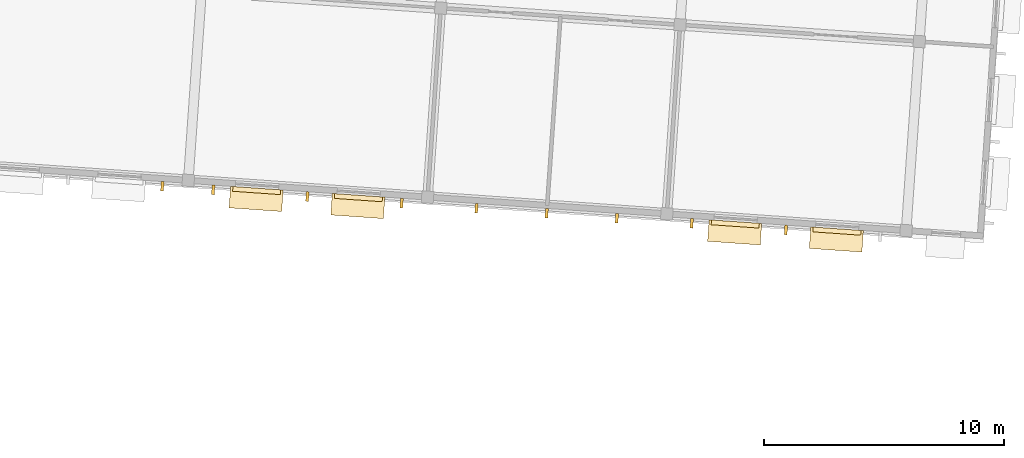
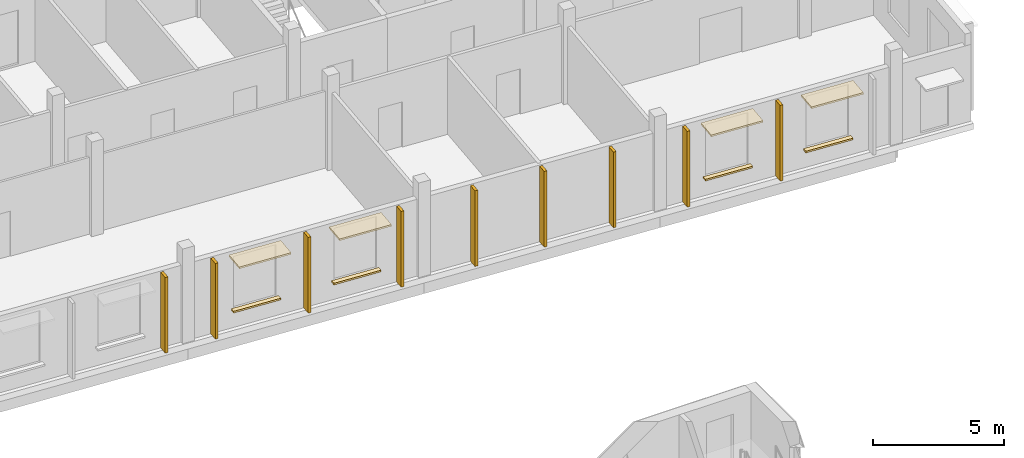
# One storey, part 93 of 95: 9 shading devices, 8 coverings.
"""IFC4 building model written with IfcOpenShell, lengths in metres."""

import ifcopenshell
import ifcopenshell.guid

model = None  # the IFC model being written
_history = None  # IfcOwnerHistory: only IFC2X3 demands one
_inside = {}  # id of a spatial element -> (the spatial element, [elements in it])
_under = {}  # id of a project, library or spatial element -> (it, [spatial elements below it])
_declared = {}  # id of a project -> (the project, [libraries it declares])
_typed = {}  # id of a type object -> (the type object, [elements of that type])
_made_of = {}  # id of a material, layer set ... -> (it, [elements and type objects made of it])


def new_model(schema):
    """Start an empty IFC model of exactly this schema.

    Asked for "IFC4X3", IfcOpenShell would pick the latest addendum, in which some entities
    have other attributes; the version numbers below select the first issue.
    IFC2X3 requires an IfcOwnerHistory on every rooted entity: one is made here for all.
    """
    global model, _history
    if schema == "IFC4X3":
        model = ifcopenshell.file(schema_version=(4, 3, 0, 0))
    else:
        model = ifcopenshell.file(schema=schema)
    _inside.clear()
    _under.clear()
    _declared.clear()
    _typed.clear()
    _made_of.clear()
    _history = None
    if model.schema == "IFC2X3":
        org = make("IfcOrganization", Name="unknown")
        user = make(
            "IfcPersonAndOrganization",
            ThePerson=make("IfcPerson", FamilyName="unknown"),
            TheOrganization=org,
        )
        app = make(
            "IfcApplication",
            ApplicationDeveloper=org,
            Version="unknown",
            ApplicationFullName="unknown",
            ApplicationIdentifier="unknown",
        )
        _history = make(
            "IfcOwnerHistory",
            OwningUser=user,
            OwningApplication=app,
            ChangeAction="ADDED",
            CreationDate=0,
        )
    return model


def make(cls, **values):
    """One entity of the class cls with the attributes given. An attribute that is None is left unset."""
    return model.create_entity(
        cls, **{name: value for name, value in values.items() if value is not None}
    )


def rooted(cls, **values):
    """An entity with a GlobalId (a new one), such as an element, a storey or a relation."""
    return make(cls, GlobalId=ifcopenshell.guid.new(), OwnerHistory=_history, **values)


def si_unit(unit_type, name, prefix=None):
    """IfcSIUnit, for example si_unit("LENGTHUNIT", "METRE", prefix="MILLI")."""
    return make("IfcSIUnit", UnitType=unit_type, Prefix=prefix, Name=name)


def assignment(units):
    """IfcUnitAssignment: the units of a project."""
    return None if units is None else make("IfcUnitAssignment", Units=units)


def point(xyz):
    """IfcCartesianPoint."""
    return None if xyz is None else make("IfcCartesianPoint", Coordinates=xyz)


def direction(xyz):
    """IfcDirection."""
    return None if xyz is None else make("IfcDirection", DirectionRatios=xyz)


def frame(location, z_axis=None, x_axis=None):
    """IfcAxis2Placement3D, a coordinate frame: its origin and axes. An axis left out is left unset."""
    return make(
        "IfcAxis2Placement3D",
        Location=point(location),
        Axis=direction(z_axis),
        RefDirection=direction(x_axis),
    )


def origin():
    """The frame at (0, 0, 0) with its axes left unset."""
    return frame((0.0, 0.0, 0.0))


def place(relative_to, where):
    """IfcLocalPlacement: puts the frame where relative to a parent placement (None: the world)."""
    return make(
        "IfcLocalPlacement", PlacementRelTo=relative_to, RelativePlacement=where
    )


def context(
    kind, dimensions, precision=None, world=None, true_north=None, identifier=None
):
    """IfcGeometricRepresentationContext, for example the 3D "Model" context."""
    return make(
        "IfcGeometricRepresentationContext",
        ContextIdentifier=identifier,
        ContextType=kind,
        CoordinateSpaceDimension=dimensions,
        Precision=precision,
        WorldCoordinateSystem=world,
        TrueNorth=true_north,
    )


def subcontext(parent, identifier, kind, view, scale=None):
    """IfcGeometricRepresentationSubContext, for example "Body" below "Model"."""
    return make(
        "IfcGeometricRepresentationSubContext",
        ContextIdentifier=identifier,
        ContextType=kind,
        ParentContext=parent,
        TargetScale=scale,
        TargetView=view,
    )


def project(units=None, contexts=None):
    """IfcProject with its units and contexts."""
    return rooted(
        "IfcProject",
        Name="project",
        RepresentationContexts=contexts,
        UnitsInContext=assignment(units),
    )


def spatial(cls, under=None, at=None, **own):
    """A site, building, storey or space (cls), placed at a placement, below another one or the project."""
    s = rooted(cls, ObjectPlacement=at, **own)
    if under is not None:
        _under.setdefault(under.id(), (under, []))[1].append(s)
    return s


def polyline(points):
    """IfcPolyline through the points."""
    return make("IfcPolyline", Points=[point(p) for p in points])


def outline(outer, holes=None, kind="AREA"):
    """IfcArbitraryClosedProfileDef: a profile drawn as a closed curve; with holes, ...WithVoids."""
    if holes is None:
        return make("IfcArbitraryClosedProfileDef", ProfileType=kind, OuterCurve=outer)
    return make(
        "IfcArbitraryProfileDefWithVoids",
        ProfileType=kind,
        OuterCurve=outer,
        InnerCurves=holes,
    )


def extrude(swept, where, along, depth):
    """IfcExtrudedAreaSolid: the profile swept, set in the frame where, extruded along a direction by depth."""
    return make(
        "IfcExtrudedAreaSolid",
        SweptArea=swept,
        Position=where,
        ExtrudedDirection=direction(along),
        Depth=depth,
    )


def shape(context_of_items, identifier, shape_type, items):
    """IfcShapeRepresentation: the items that make up one representation, for example the "Body"."""
    return make(
        "IfcShapeRepresentation",
        ContextOfItems=context_of_items,
        RepresentationIdentifier=identifier,
        RepresentationType=shape_type,
        Items=items,
    )


def material(Name=None, Category=None):
    """IfcMaterial."""
    return make("IfcMaterial", Name=Name, Category=Category)


def layer(
    of_material, thickness, ventilated=None, Name=None, Category=None, Priority=None
):
    """IfcMaterialLayer: one layer of a wall or slab, of a material (None: an air gap)."""
    return make(
        "IfcMaterialLayer",
        Material=of_material,
        LayerThickness=thickness,
        IsVentilated=ventilated,
        Name=Name,
        Category=Category,
        Priority=Priority,
    )


def layer_set(layers, Name=None):
    """IfcMaterialLayerSet."""
    return make("IfcMaterialLayerSet", MaterialLayers=layers, LayerSetName=Name)


def made_of(thing, what):
    """Note that an element or type object is made of a material, layer set ...; save() writes the relation."""
    if what is not None:
        _made_of.setdefault(what.id(), (what, []))[1].append(thing)
    return thing


def type_object(cls, material=None, **own):
    """A type object (cls), such as IfcWallType, which elements share."""
    return made_of(rooted(cls, **own), material)


def element(
    cls,
    number,
    at=None,
    inside=None,
    cuts=None,
    type_object=None,
    material=None,
    context=None,
    identifier="Body",
    shape_type=None,
    held_by="IfcProductDefinitionShape",
    body=None,
    shapes=None,
    **own,
):
    """One element of the class cls, such as IfcWall. Its Tag is "e" and its number.

    at: its placement. inside: the storey or other place that contains it. cuts: it is an
    opening in that element (IfcRelVoidsElement). A single representation is given by context,
    identifier, shape_type and body (its items); several are given by shapes. held_by: the class
    of the entity that holds the representations. save() writes the other relations.
    """
    e = rooted(cls, Tag="e%d" % number, ObjectPlacement=at, **own)
    if body is not None:
        shapes = [shape(context, identifier, shape_type, body)]
    if shapes is not None:
        e.Representation = make(held_by, Representations=shapes)
    if inside is not None:
        _inside.setdefault(inside.id(), (inside, []))[1].append(e)
    if cuts is not None:
        rooted(
            "IfcRelVoidsElement", RelatingBuildingElement=cuts, RelatedOpeningElement=e
        )
    if type_object is not None:
        _typed.setdefault(type_object.id(), (type_object, []))[1].append(e)
    return made_of(e, material)


def aggregate(whole, parts):
    """IfcRelAggregates: a whole, such as a stair, and the parts it consists of."""
    return rooted("IfcRelAggregates", RelatingObject=whole, RelatedObjects=parts)


def save(model, path):
    """Write the relations noted so far, then the file.

    IfcRelAggregates (storeys below a building ...), IfcRelContainedInSpatialStructure (elements
    in a storey), IfcRelDefinesByType, IfcRelAssociatesMaterial and IfcRelDeclares: one each for
    every whole, place, type object, material and project.
    """
    for whole, parts in _under.values():
        aggregate(whole, parts)
    for where, things in _inside.values():
        rooted(
            "IfcRelContainedInSpatialStructure",
            RelatedElements=things,
            RelatingStructure=where,
        )
    for kind, things in _typed.values():
        rooted("IfcRelDefinesByType", RelatedObjects=things, RelatingType=kind)
    for what, things in _made_of.values():
        rooted("IfcRelAssociatesMaterial", RelatedObjects=things, RelatingMaterial=what)
    for by, libraries in _declared.values():
        rooted("IfcRelDeclares", RelatingContext=by, RelatedDefinitions=libraries)
    model.write(path)


model = new_model("IFC4")

# Units and contexts
model_context = context("Model", 3, precision=1e-05, world=origin(), true_north=direction((0.0, 1.0)))
body_context = subcontext(model_context, "Body", "Model", "MODEL_VIEW")
ifc_project = project(units=[si_unit("LENGTHUNIT", "METRE"), si_unit("AREAUNIT", "SQUARE_METRE"), si_unit("VOLUMEUNIT", "CUBIC_METRE"), si_unit("PLANEANGLEUNIT", "RADIAN"), si_unit("MASSUNIT", "GRAM", prefix="KILO")], contexts=[model_context])

# Site, building, storey
site_placement = place(None, origin())
site = spatial("IfcSite", under=ifc_project, at=site_placement, CompositionType="ELEMENT")
building_placement = place(site_placement, origin())
building = spatial("IfcBuilding", under=site, at=building_placement, Name="Windward Yard Aquatics Centre", CompositionType="ELEMENT")
storey_placement = place(building_placement, frame((0.0, 0.0, 9.39990234375)))
storey = spatial("IfcBuildingStorey", under=building, at=storey_placement, Name="L02", CompositionType="ELEMENT", Elevation=9.39990234375)

# Shading devices
ifc_material_1 = material(Name="Timber-look aluminium batten, powder coated", Category="wood")
shading_device_type = type_object("IfcShadingDeviceType", Name="W vertical fin 120x400", PredefinedType="USERDEFINED", material=ifc_material_1)
shading_device_1_placement = place(storey_placement, origin())
element("IfcShadingDevice", 1, at=shading_device_1_placement, inside=storey, type_object=shading_device_type, Name="Vertical fin W.FW.L02.S.56.8.3.1", ObjectType="FIN", PredefinedType="USERDEFINED", context=body_context, shape_type="SweptSolid", body=[
    extrude(outline(polyline([(136.6337890625, 114.326904296875), (136.66162109375, 114.72607421875), (136.781494140625, 114.717529296875), (136.75341796875, 114.318603515625), (136.6337890625, 114.326904296875)])), origin(), (0.0, 0.0, 1.0), 3.52001953125),
])
shading_device_2_placement = place(storey_placement, origin())
element("IfcShadingDevice", 2, at=shading_device_2_placement, inside=storey, type_object=shading_device_type, Name="Vertical fin W.FW.L02.S.66.8.1.1", ObjectType="FIN", PredefinedType="USERDEFINED", context=body_context, shape_type="SweptSolid", body=[
    extrude(outline(polyline([(138.75341796875, 114.1787109375), (138.781494140625, 114.577880859375), (138.901123046875, 114.5693359375), (138.873291015625, 114.17041015625), (138.75341796875, 114.1787109375)])), origin(), (0.0, 0.0, 1.0), 3.52001953125),
])
shading_device_3_placement = place(storey_placement, origin())
element("IfcShadingDevice", 3, at=shading_device_3_placement, inside=storey, type_object=shading_device_type, Name="Vertical fin W.FW.L02.S.66.8.2.1", ObjectType="FIN", PredefinedType="USERDEFINED", context=body_context, shape_type="SweptSolid", body=[
    extrude(outline(polyline([(142.681396484375, 113.904052734375), (142.70947265625, 114.302978515625), (142.8291015625, 114.294921875), (142.80126953125, 113.895751953125), (142.681396484375, 113.904052734375)])), origin(), (0.0, 0.0, 1.0), 3.52001953125),
])
shading_device_4_placement = place(storey_placement, origin())
element("IfcShadingDevice", 4, at=shading_device_4_placement, inside=storey, type_object=shading_device_type, Name="Vertical fin W.FW.L02.S.66.8.3.1", ObjectType="FIN", PredefinedType="USERDEFINED", context=body_context, shape_type="SweptSolid", body=[
    extrude(outline(polyline([(146.609375, 113.62939453125), (146.63720703125, 114.028564453125), (146.757080078125, 114.02001953125), (146.72900390625, 113.62109375), (146.609375, 113.62939453125)])), origin(), (0.0, 0.0, 1.0), 3.52001953125),
])
shading_device_5_placement = place(storey_placement, origin())
element("IfcShadingDevice", 5, at=shading_device_5_placement, inside=storey, type_object=shading_device_type, Name="Vertical fin W.FW.L02.S.76.8.1.1", ObjectType="FIN", PredefinedType="USERDEFINED", context=body_context, shape_type="SweptSolid", body=[
    extrude(outline(polyline([(149.73095703125, 113.4111328125), (149.7587890625, 113.810302734375), (149.878662109375, 113.8017578125), (149.8505859375, 113.40283203125), (149.73095703125, 113.4111328125)])), origin(), (0.0, 0.0, 1.0), 3.52001953125),
])
shading_device_6_placement = place(storey_placement, origin())
element("IfcShadingDevice", 6, at=shading_device_6_placement, inside=storey, type_object=shading_device_type, Name="Vertical fin W.FW.L02.S.76.8.1.2", ObjectType="FIN", PredefinedType="USERDEFINED", context=body_context, shape_type="SweptSolid", body=[
    extrude(outline(polyline([(152.656982421875, 113.20654296875), (152.68505859375, 113.60546875), (152.8046875, 113.59716796875), (152.77685546875, 113.197998046875), (152.656982421875, 113.20654296875)])), origin(), (0.0, 0.0, 1.0), 3.52001953125),
])
shading_device_7_placement = place(storey_placement, origin())
element("IfcShadingDevice", 7, at=shading_device_7_placement, inside=storey, type_object=shading_device_type, Name="Vertical fin W.FW.L02.S.76.8.1.3", ObjectType="FIN", PredefinedType="USERDEFINED", context=body_context, shape_type="SweptSolid", body=[
    extrude(outline(polyline([(155.583251953125, 113.001953125), (155.611083984375, 113.40087890625), (155.73095703125, 113.392578125), (155.702880859375, 112.993408203125), (155.583251953125, 113.001953125)])), origin(), (0.0, 0.0, 1.0), 3.52001953125),
])
shading_device_8_placement = place(storey_placement, origin())
element("IfcShadingDevice", 8, at=shading_device_8_placement, inside=storey, type_object=shading_device_type, Name="Vertical fin W.FW.L02.S.86.8.1.1", ObjectType="FIN", PredefinedType="USERDEFINED", context=body_context, shape_type="SweptSolid", body=[
    extrude(outline(polyline([(158.704833984375, 112.78369140625), (158.732666015625, 113.1826171875), (158.8525390625, 113.17431640625), (158.82470703125, 112.775146484375), (158.704833984375, 112.78369140625)])), origin(), (0.0, 0.0, 1.0), 3.52001953125),
])
shading_device_9_placement = place(storey_placement, origin())
element("IfcShadingDevice", 9, at=shading_device_9_placement, inside=storey, type_object=shading_device_type, Name="Vertical fin W.FW.L02.S.86.8.2.1", ObjectType="FIN", PredefinedType="USERDEFINED", context=body_context, shape_type="SweptSolid", body=[
    extrude(outline(polyline([(162.6328125, 112.5087890625), (162.66064453125, 112.907958984375), (162.780517578125, 112.899658203125), (162.75244140625, 112.50048828125), (162.6328125, 112.5087890625)])), origin(), (0.0, 0.0, 1.0), 3.52001953125),
])

# Coverings
ifc_material_2 = material(Name="Aluminium composite hood, powder coated", Category="aluminium")
ifc_layer_1 = layer(ifc_material_2, 0.080078125)
ifc_layer_set_1 = layer_set([ifc_layer_1], Name="W window hood aluminium 2200x900")
covering_type_1 = type_object("IfcCoveringType", Name="W window hood aluminium 2200x900", PredefinedType="CLADDING", material=ifc_layer_set_1)
covering_1_placement = place(storey_placement, frame((0.0, 0.0, 3.35009765625)))
element("IfcCovering", 10, at=covering_1_placement, inside=storey, type_object=covering_type_1, Name="Window hood W2503", PredefinedType="CLADDING", context=body_context, shape_type="SweptSolid", body=[
    extrude(outline(polyline([(139.4892578125, 113.626220703125), (139.552001953125, 114.52392578125), (141.74658203125, 114.37060546875), (141.683837890625, 113.47265625), (139.4892578125, 113.626220703125)])), origin(), (0.0, 0.0, 1.0), 0.080078125),
])
covering_2_placement = place(storey_placement, frame((0.0, 0.0, 3.35009765625)))
element("IfcCovering", 11, at=covering_2_placement, inside=storey, type_object=covering_type_1, Name="Window hood W2504", PredefinedType="CLADDING", context=body_context, shape_type="SweptSolid", body=[
    extrude(outline(polyline([(143.72900390625, 113.32958984375), (143.791748046875, 114.2275390625), (145.986328125, 114.073974609375), (145.923583984375, 113.17626953125), (143.72900390625, 113.32958984375)])), origin(), (0.0, 0.0, 1.0), 0.080078125),
])
covering_3_placement = place(storey_placement, frame((0.0, 0.0, 3.35009765625)))
element("IfcCovering", 12, at=covering_3_placement, inside=storey, type_object=covering_type_1, Name="Window hood W2505", PredefinedType="CLADDING", context=body_context, shape_type="SweptSolid", body=[
    extrude(outline(polyline([(159.440673828125, 112.23095703125), (159.50341796875, 113.128662109375), (161.697998046875, 112.975341796875), (161.63525390625, 112.077392578125), (159.440673828125, 112.23095703125)])), origin(), (0.0, 0.0, 1.0), 0.080078125),
])
covering_4_placement = place(storey_placement, frame((0.0, 0.0, 3.35009765625)))
element("IfcCovering", 13, at=covering_4_placement, inside=storey, type_object=covering_type_1, Name="Window hood W2506", PredefinedType="CLADDING", context=body_context, shape_type="SweptSolid", body=[
    extrude(outline(polyline([(163.68017578125, 111.934326171875), (163.742919921875, 112.832275390625), (165.937744140625, 112.6787109375), (165.875, 111.781005859375), (163.68017578125, 111.934326171875)])), origin(), (0.0, 0.0, 1.0), 0.080078125),
])
ifc_material_3 = material(Name="Limestone sill", Category="masonry")
ifc_layer_2 = layer(ifc_material_3, 0.080078125)
ifc_layer_set_2 = layer_set([ifc_layer_2], Name="W window sill stone 2000x200")
covering_type_2 = type_object("IfcCoveringType", Name="W window sill stone 2000x200", PredefinedType="CLADDING", material=ifc_layer_set_2)
covering_5_placement = place(storey_placement, frame((0.0, 0.0, 0.820068359375)))
element("IfcCovering", 14, at=covering_5_placement, inside=storey, type_object=covering_type_2, Name="Window sill W2503", PredefinedType="CLADDING", context=body_context, shape_type="SweptSolid", body=[
    extrude(outline(polyline([(139.637939453125, 114.3173828125), (139.65185546875, 114.516845703125), (141.64697265625, 114.37744140625), (141.633056640625, 114.177978515625), (139.637939453125, 114.3173828125)])), origin(), (0.0, 0.0, 1.0), 0.080078125),
])
covering_6_placement = place(storey_placement, frame((0.0, 0.0, 0.820068359375)))
element("IfcCovering", 15, at=covering_6_placement, inside=storey, type_object=covering_type_2, Name="Window sill W2504", PredefinedType="CLADDING", context=body_context, shape_type="SweptSolid", body=[
    extrude(outline(polyline([(143.87744140625, 114.02099609375), (143.8916015625, 114.220458984375), (145.88671875, 114.0810546875), (145.87255859375, 113.881591796875), (143.87744140625, 114.02099609375)])), origin(), (0.0, 0.0, 1.0), 0.080078125),
])
covering_7_placement = place(storey_placement, frame((0.0, 0.0, 0.820068359375)))
element("IfcCovering", 16, at=covering_7_placement, inside=storey, type_object=covering_type_2, Name="Window sill W2505", PredefinedType="CLADDING", context=body_context, shape_type="SweptSolid", body=[
    extrude(outline(polyline([(159.589111328125, 112.922119140625), (159.60302734375, 113.12158203125), (161.59814453125, 112.982177734375), (161.584228515625, 112.78271484375), (159.589111328125, 112.922119140625)])), origin(), (0.0, 0.0, 1.0), 0.080078125),
])
covering_8_placement = place(storey_placement, frame((0.0, 0.0, 0.820068359375)))
element("IfcCovering", 17, at=covering_8_placement, inside=storey, type_object=covering_type_2, Name="Window sill W2506", PredefinedType="CLADDING", context=body_context, shape_type="SweptSolid", body=[
    extrude(outline(polyline([(163.828857421875, 112.625732421875), (163.8427734375, 112.8251953125), (165.837890625, 112.685791015625), (165.823974609375, 112.486328125), (163.828857421875, 112.625732421875)])), origin(), (0.0, 0.0, 1.0), 0.080078125),
])

save(model, "model.ifc")
